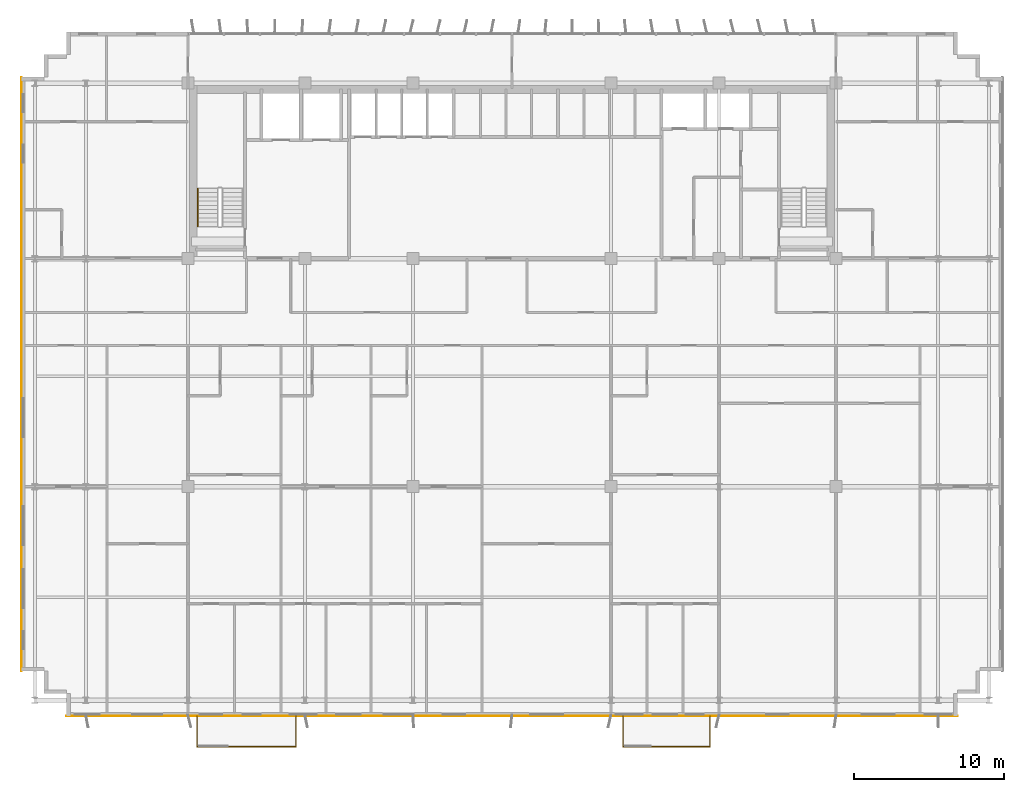
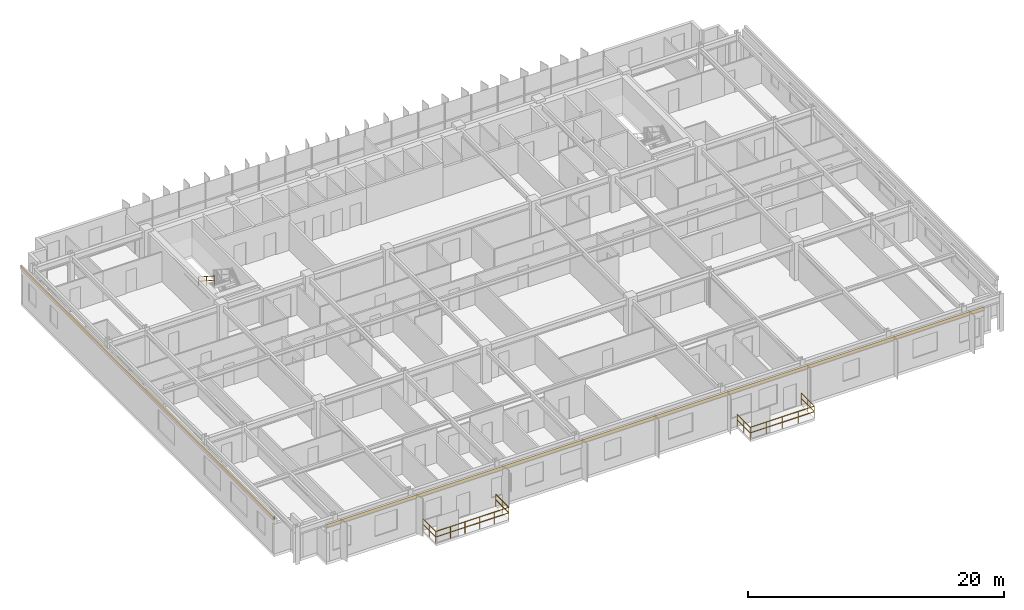
# One storey, part 20 of 22: 7 railings, 2 coverings.
"""IFC4 building model written with IfcOpenShell, lengths in metres."""

from ifc_helpers import new_model, si_unit, direction, frame, origin, origin_2d, place, context, subcontext, project, spatial, rectangle, extrude, source, transform, mapped, material, layer, layer_set, type_object, element, save


model = new_model("IFC4")

# Units and contexts
model_context = context("Model", 3, precision=1e-05, world=origin(), true_north=direction((0.0, 1.0)))
body_context = subcontext(model_context, "Body", "Model", "MODEL_VIEW")
ifc_project = project(units=[si_unit("LENGTHUNIT", "METRE"), si_unit("AREAUNIT", "SQUARE_METRE"), si_unit("VOLUMEUNIT", "CUBIC_METRE"), si_unit("PLANEANGLEUNIT", "RADIAN"), si_unit("MASSUNIT", "GRAM", prefix="KILO")], contexts=[model_context])

# Site, building, storey
site_placement = place(None, origin())
site = spatial("IfcSite", under=ifc_project, at=site_placement, CompositionType="ELEMENT")
building_placement = place(site_placement, origin())
building = spatial("IfcBuilding", under=site, at=building_placement, Name="Trelvane Seafront Commons", CompositionType="ELEMENT")
storey_placement = place(building_placement, frame((0.0, 0.0, 117.699951171875)))
storey = spatial("IfcBuildingStorey", under=building, at=storey_placement, Name="L30", CompositionType="ELEMENT", Elevation=117.699951171875)

# Railings
ifc_material_1 = material(Name="Stainless steel balustrade", Category="steel")
railing_type_1 = type_object("IfcRailingType", Name="ARCH-RAIL-BAL1150", PredefinedType="BALUSTRADE", material=ifc_material_1)
railing_1_placement = place(storey_placement, frame((16.199951171875, 2.89990234375, 0.0)))
element("IfcRailing", 1, at=railing_1_placement, inside=storey, type_object=railing_type_1, Name="RL-L30-BAL0-01", PredefinedType="BALUSTRADE", context=body_context, shape_type="SweptSolid", body=[
    extrude(rectangle(XDim=0.048095703125, YDim=0.048095703125, at=origin_2d()), frame((0.0, 0.0, 1.1259765625), z_axis=(0.0, -1.0, 0.0), x_axis=(1.0, 0.0, 0.0)), (0.0, 0.0, 1.0), 2.039794921875),
    extrude(rectangle(XDim=0.048095703125, YDim=0.048095703125, at=origin_2d()), frame((0.0, 0.0, 0.597900390625), z_axis=(0.0, -1.0, 0.0), x_axis=(1.0, 0.0, 0.0)), (0.0, 0.0, 1.0), 2.039794921875),
    extrude(rectangle(XDim=0.0419921875, YDim=0.0419921875, at=origin_2d()), origin(), (0.0, 0.0, 1.0), 1.1259765625),
    extrude(rectangle(XDim=0.0419921875, YDim=0.0419921875, at=origin_2d()), frame((0.0, -1.02001953125, 0.0)), (0.0, 0.0, 1.0), 1.1259765625),
    extrude(rectangle(XDim=0.0419921875, YDim=0.0419921875, at=origin_2d()), frame((0.0, -2.039794921875, 0.0)), (0.0, 0.0, 1.0), 1.1259765625),
])
railing_2_placement = place(storey_placement, frame((16.199951171875, 0.860107421875, 0.0)))
element("IfcRailing", 2, at=railing_2_placement, inside=storey, type_object=railing_type_1, Name="RL-L30-BAL0-02", PredefinedType="BALUSTRADE", context=body_context, shape_type="SweptSolid", body=[
    extrude(rectangle(XDim=0.048095703125, YDim=0.048095703125, at=origin_2d()), frame((0.0, 0.0, 1.1259765625), z_axis=(1.0, 0.0, 0.0), x_axis=(0.0, 1.0, 0.0)), (0.0, 0.0, 1.0), 6.60009765625),
    extrude(rectangle(XDim=0.048095703125, YDim=0.048095703125, at=origin_2d()), frame((0.0, 0.0, 0.597900390625), z_axis=(1.0, 0.0, 0.0), x_axis=(0.0, 1.0, 0.0)), (0.0, 0.0, 1.0), 6.60009765625),
    extrude(rectangle(XDim=0.0419921875, YDim=0.0419921875, at=origin_2d()), origin(), (0.0, 0.0, 1.0), 1.1259765625),
    extrude(rectangle(XDim=0.0419921875, YDim=0.0419921875, at=origin_2d()), frame((1.320068359375, 0.0, 0.0)), (0.0, 0.0, 1.0), 1.1259765625),
    extrude(rectangle(XDim=0.0419921875, YDim=0.0419921875, at=origin_2d()), frame((2.64013671875, 0.0, 0.0)), (0.0, 0.0, 1.0), 1.1259765625),
    extrude(rectangle(XDim=0.0419921875, YDim=0.0419921875, at=origin_2d()), frame((3.9599609375, 0.0, 0.0)), (0.0, 0.0, 1.0), 1.1259765625),
    extrude(rectangle(XDim=0.0419921875, YDim=0.0419921875, at=origin_2d()), frame((5.280029296875, 0.0, 0.0)), (0.0, 0.0, 1.0), 1.1259765625),
    extrude(rectangle(XDim=0.0419921875, YDim=0.0419921875, at=origin_2d()), frame((6.60009765625, 0.0, 0.0)), (0.0, 0.0, 1.0), 1.1259765625),
])
railing_3_placement = place(storey_placement, frame((22.800048828125, 0.860107421875, 0.0)))
element("IfcRailing", 3, at=railing_3_placement, inside=storey, type_object=railing_type_1, Name="RL-L30-BAL0-03", PredefinedType="BALUSTRADE", context=body_context, shape_type="SweptSolid", body=[
    extrude(rectangle(XDim=0.048095703125, YDim=0.048095703125, at=origin_2d()), frame((0.0, 0.0, 1.1259765625), z_axis=(0.0, 1.0, 0.0), x_axis=(-1.0, 0.0, 0.0)), (0.0, 0.0, 1.0), 2.039794921875),
    extrude(rectangle(XDim=0.048095703125, YDim=0.048095703125, at=origin_2d()), frame((0.0, 0.0, 0.597900390625), z_axis=(0.0, 1.0, 0.0), x_axis=(-1.0, 0.0, 0.0)), (0.0, 0.0, 1.0), 2.039794921875),
    extrude(rectangle(XDim=0.0419921875, YDim=0.0419921875, at=origin_2d()), origin(), (0.0, 0.0, 1.0), 1.1259765625),
    extrude(rectangle(XDim=0.0419921875, YDim=0.0419921875, at=origin_2d()), frame((0.0, 1.02001953125, 0.0)), (0.0, 0.0, 1.0), 1.1259765625),
    extrude(rectangle(XDim=0.0419921875, YDim=0.0419921875, at=origin_2d()), frame((0.0, 2.039794921875, 0.0)), (0.0, 0.0, 1.0), 1.1259765625),
])
railing_4_placement = place(storey_placement, frame((44.60009765625, 2.89990234375, 0.0)))
element("IfcRailing", 4, at=railing_4_placement, inside=storey, type_object=railing_type_1, Name="RL-L30-BAL1-01", PredefinedType="BALUSTRADE", context=body_context, shape_type="SweptSolid", body=[
    extrude(rectangle(XDim=0.048095703125, YDim=0.048095703125, at=origin_2d()), frame((0.0, 0.0, 1.1259765625), z_axis=(0.0, -1.0, 0.0), x_axis=(1.0, 0.0, 0.0)), (0.0, 0.0, 1.0), 2.039794921875),
    extrude(rectangle(XDim=0.048095703125, YDim=0.048095703125, at=origin_2d()), frame((0.0, 0.0, 0.597900390625), z_axis=(0.0, -1.0, 0.0), x_axis=(1.0, 0.0, 0.0)), (0.0, 0.0, 1.0), 2.039794921875),
    extrude(rectangle(XDim=0.0419921875, YDim=0.0419921875, at=origin_2d()), origin(), (0.0, 0.0, 1.0), 1.1259765625),
    extrude(rectangle(XDim=0.0419921875, YDim=0.0419921875, at=origin_2d()), frame((0.0, -1.02001953125, 0.0)), (0.0, 0.0, 1.0), 1.1259765625),
    extrude(rectangle(XDim=0.0419921875, YDim=0.0419921875, at=origin_2d()), frame((0.0, -2.039794921875, 0.0)), (0.0, 0.0, 1.0), 1.1259765625),
])
railing_5_placement = place(storey_placement, frame((44.60009765625, 0.860107421875, 0.0)))
element("IfcRailing", 5, at=railing_5_placement, inside=storey, type_object=railing_type_1, Name="RL-L30-BAL1-02", PredefinedType="BALUSTRADE", context=body_context, shape_type="SweptSolid", body=[
    extrude(rectangle(XDim=0.048095703125, YDim=0.048095703125, at=origin_2d()), frame((0.0, 0.0, 1.1259765625), z_axis=(1.0, 0.0, 0.0), x_axis=(0.0, 1.0, 0.0)), (0.0, 0.0, 1.0), 5.7998046875),
    extrude(rectangle(XDim=0.048095703125, YDim=0.048095703125, at=origin_2d()), frame((0.0, 0.0, 0.597900390625), z_axis=(1.0, 0.0, 0.0), x_axis=(0.0, 1.0, 0.0)), (0.0, 0.0, 1.0), 5.7998046875),
    extrude(rectangle(XDim=0.0419921875, YDim=0.0419921875, at=origin_2d()), origin(), (0.0, 0.0, 1.0), 1.1259765625),
    extrude(rectangle(XDim=0.0419921875, YDim=0.0419921875, at=origin_2d()), frame((1.449951171875, 0.0, 0.0)), (0.0, 0.0, 1.0), 1.1259765625),
    extrude(rectangle(XDim=0.0419921875, YDim=0.0419921875, at=origin_2d()), frame((2.89990234375, 0.0, 0.0)), (0.0, 0.0, 1.0), 1.1259765625),
    extrude(rectangle(XDim=0.0419921875, YDim=0.0419921875, at=origin_2d()), frame((4.349853515625, 0.0, 0.0)), (0.0, 0.0, 1.0), 1.1259765625),
    extrude(rectangle(XDim=0.0419921875, YDim=0.0419921875, at=origin_2d()), frame((5.7998046875, 0.0, 0.0)), (0.0, 0.0, 1.0), 1.1259765625),
])
railing_6_placement = place(storey_placement, frame((50.39990234375, 0.860107421875, 0.0)))
element("IfcRailing", 6, at=railing_6_placement, inside=storey, type_object=railing_type_1, Name="RL-L30-BAL1-03", PredefinedType="BALUSTRADE", context=body_context, shape_type="SweptSolid", body=[
    extrude(rectangle(XDim=0.048095703125, YDim=0.048095703125, at=origin_2d()), frame((0.0, 0.0, 1.1259765625), z_axis=(0.0, 1.0, 0.0), x_axis=(-1.0, 0.0, 0.0)), (0.0, 0.0, 1.0), 2.039794921875),
    extrude(rectangle(XDim=0.048095703125, YDim=0.048095703125, at=origin_2d()), frame((0.0, 0.0, 0.597900390625), z_axis=(0.0, 1.0, 0.0), x_axis=(-1.0, 0.0, 0.0)), (0.0, 0.0, 1.0), 2.039794921875),
    extrude(rectangle(XDim=0.0419921875, YDim=0.0419921875, at=origin_2d()), origin(), (0.0, 0.0, 1.0), 1.1259765625),
    extrude(rectangle(XDim=0.0419921875, YDim=0.0419921875, at=origin_2d()), frame((0.0, 1.02001953125, 0.0)), (0.0, 0.0, 1.0), 1.1259765625),
    extrude(rectangle(XDim=0.0419921875, YDim=0.0419921875, at=origin_2d()), frame((0.0, 2.039794921875, 0.0)), (0.0, 0.0, 1.0), 1.1259765625),
])
railing_type_2 = type_object("IfcRailingType", Name="ARCH-SRL-HAND", PredefinedType="HANDRAIL", material=ifc_material_1)
railing_7_placement = place(storey_placement, frame((16.25, 38.070068359375, 1.97998046875)))
element("IfcRailing", 7, at=railing_7_placement, inside=storey, type_object=railing_type_2, Name="L30 ST-1 stair handrail 2", PredefinedType="HANDRAIL", context=body_context, shape_type="SweptSolid", body=[
    extrude(rectangle(XDim=0.048095703125, YDim=0.048095703125, at=origin_2d()), frame((0.0, 0.0, 0.8759765625), z_axis=(0.0, -0.841162588446, 0.540782303519), x_axis=(1.0, 0.0, 0.0)), (0.0, 0.0, 1.0), 2.995849609375),
    extrude(rectangle(XDim=0.048095703125, YDim=0.048095703125, at=origin_2d()), frame((0.0, 0.0, 0.468017578125), z_axis=(0.0, -0.841162588446, 0.540782303519), x_axis=(1.0, 0.0, 0.0)), (0.0, 0.0, 1.0), 2.995849609375),
    extrude(rectangle(XDim=0.0419921875, YDim=0.0419921875, at=origin_2d()), origin(), (0.0, 0.0, 1.0), 0.8759765625),
    extrude(rectangle(XDim=0.0419921875, YDim=0.0419921875, at=origin_2d()), frame((0.0, -1.260009765625, 0.81005859375)), (0.0, 0.0, 1.0), 0.8759765625),
    extrude(rectangle(XDim=0.0419921875, YDim=0.0419921875, at=origin_2d()), frame((0.0, -2.52001953125, 1.6201171875)), (0.0, 0.0, 1.0), 0.8759765625),
])

# Coverings
ifc_material_2 = material(Name="Anodised pale-silver aluminium", Category="aluminium")
ifc_layer = layer(ifc_material_2, 0.034912109375, Name="ARCH-COV-CLAD35")
ifc_layer_set = layer_set([ifc_layer], Name="Anodised pale-silver aluminium")
covering_type = type_object("IfcCoveringType", Name="ARCH-COV-CLAD35", PredefinedType="CLADDING", material=ifc_layer_set)
shared_shape_1 = source(origin(), body_context, "Body", "SweptSolid", [
    extrude(rectangle(XDim=39.60009765625, YDim=0.034912109375, at=origin_2d()), origin(), (0.0, 0.0, 1.0), 0.300048828125),
])
covering_1_placement = place(storey_placement, frame((4.5, 25.699951171875, 3.2998046875), z_axis=(0.0, 0.0, 1.0), x_axis=(0.0, 1.0, 0.0)))
element("IfcCovering", 8, at=covering_1_placement, inside=storey, type_object=covering_type, Name="CLD-L30-00121", PredefinedType="CLADDING", context=body_context, shape_type="MappedRepresentation", body=[
    mapped(shared_shape_1, transform((0.0, 0.0, 0.0), x_axis=(1.0, 0.0, 0.0), y_axis=(0.0, 1.0, 0.0), z_axis=(0.0, 0.0, 1.0), scale=1.0)),
])
shared_shape_2 = source(origin(), body_context, "Body", "SweptSolid", [
    extrude(rectangle(XDim=59.39990234375, YDim=0.034912109375, at=origin_2d()), origin(), (0.0, 0.0, 1.0), 0.300048828125),
])
covering_2_placement = place(storey_placement, frame((37.199951171875, 2.89990234375, 3.2998046875), z_axis=(0.0, 0.0, 1.0), x_axis=(-1.0, 0.0, 0.0)))
element("IfcCovering", 9, at=covering_2_placement, inside=storey, type_object=covering_type, Name="CLD-L30-00123", PredefinedType="CLADDING", context=body_context, shape_type="MappedRepresentation", body=[
    mapped(shared_shape_2, transform((0.0, 0.0, 0.0), x_axis=(1.0, 0.0, 0.0), y_axis=(0.0, 1.0, 0.0), z_axis=(0.0, 0.0, 1.0), scale=1.0)),
])

save(model, "model.ifc")
